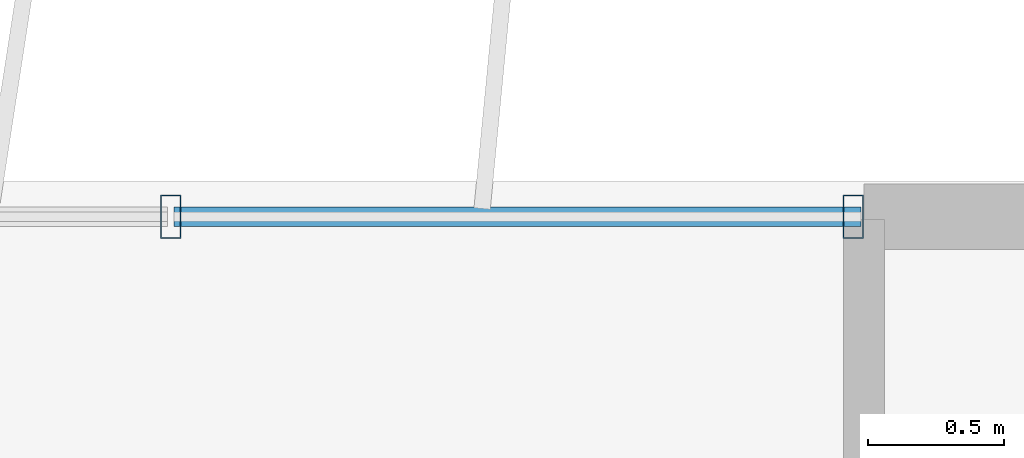
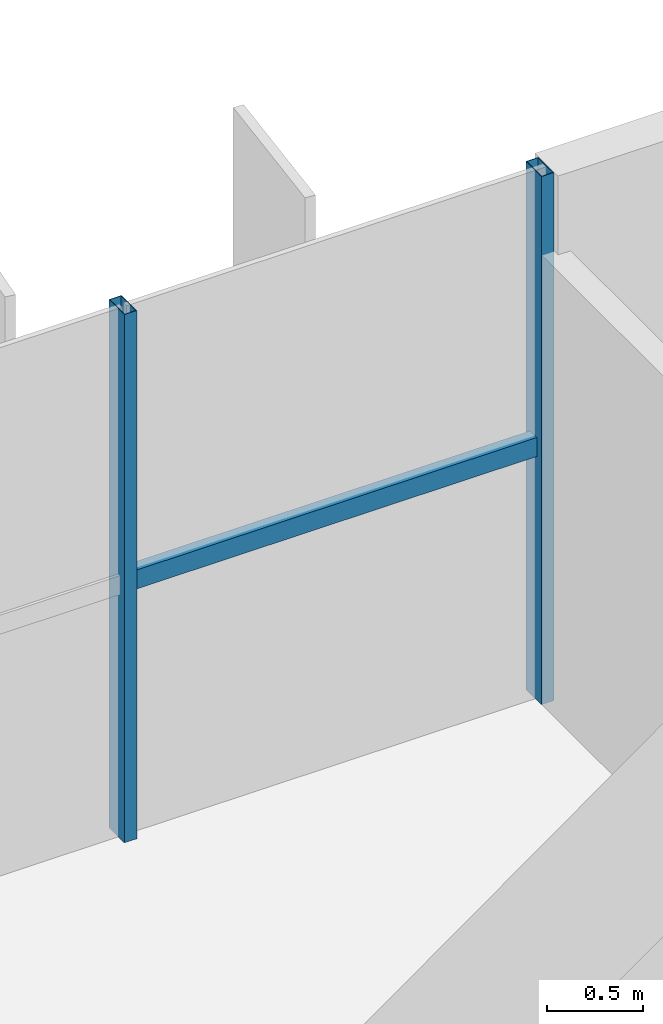
# One storey, part 15 of 24: 3 members, 1 element without a shape of its own.
"""IFC4 building model written with IfcOpenShell, lengths in metres."""

from ifc_helpers import new_model, si_unit, direction, frame, origin, origin_2d, place, context, subcontext, project, spatial, hollow_rectangle, extrude, source, transform, mapped, material, material_profile, profile_set, type_object, element, aggregate, save


model = new_model("IFC4")

# Units and contexts
model_context = context("Model", 3, precision=1e-05, world=origin(), true_north=direction((0.0, 1.0)))
body_context = subcontext(model_context, "Body", "Model", "MODEL_VIEW")
ifc_project = project(units=[si_unit("LENGTHUNIT", "METRE"), si_unit("AREAUNIT", "SQUARE_METRE"), si_unit("VOLUMEUNIT", "CUBIC_METRE"), si_unit("PLANEANGLEUNIT", "RADIAN"), si_unit("MASSUNIT", "GRAM", prefix="KILO")], contexts=[model_context])

# Site, building, storey
site_placement = place(None, origin())
site = spatial("IfcSite", under=ifc_project, at=site_placement, CompositionType="ELEMENT")
building_placement = place(site_placement, origin())
building = spatial("IfcBuilding", under=site, at=building_placement, Name="Trelvane Seafront Commons", CompositionType="ELEMENT")
storey_placement = place(building_placement, frame((0.0, 0.0, 175.300048828125)))
storey = spatial("IfcBuildingStorey", under=building, at=storey_placement, Name="L46", CompositionType="ELEMENT", Elevation=175.300048828125)

# Curtain wall, members
ifc_material = material(Name="Anodised pale-silver aluminium", Category="aluminium")
curtain_wall_type = type_object("IfcCurtainWallType", Name="ARCH-CW5-UPTOWER", PredefinedType="NOTDEFINED", material=ifc_material)
curtain_wall_placement = place(storey_placement, origin())
curtain_wall = element("IfcCurtainWall", 1, at=curtain_wall_placement, inside=storey, type_object=curtain_wall_type, Name="CW-L46-0073", PredefinedType="NOTDEFINED")
ifc_material_profile_1 = material_profile(ifc_material, hollow_rectangle(XDim=0.070068359375, YDim=0.1201171875, WallThickness=0.00390625, at=origin_2d()), Name="TRAN-70x120x4")
ifc_profile_set_1 = profile_set([ifc_material_profile_1], Name="Anodised pale-silver aluminium")
member_type_1 = type_object("IfcMemberType", Name="ARCH-CW-TRAN-120", PredefinedType="USERDEFINED", material=ifc_profile_set_1)
shared_shape_1 = source(origin(), body_context, "Body", "SweptSolid", [
    extrude(hollow_rectangle(XDim=0.070068359375, YDim=0.1201171875, WallThickness=0.00390625, at=origin_2d()), origin(), (0.0, 0.0, 1.0), 2.517333984375),
])
member_1_placement = place(storey_placement, frame((56.270751953125, 48.3701171875, 1.60791015625), z_axis=(1.0, 0.0, 0.0), x_axis=(0.0, 1.0, 0.0)))
member_1 = element("IfcMember", 2, at=member_1_placement, type_object=member_type_1, Name="CW-L46-0073-T16", ObjectType="TRANSOM", PredefinedType="USERDEFINED", context=body_context, shape_type="MappedRepresentation", body=[
    mapped(shared_shape_1, transform((0.0, 0.0, 0.0), x_axis=(1.0, 0.0, 0.0), y_axis=(0.0, 1.0, 0.0), z_axis=(0.0, 0.0, 1.0), scale=1.0)),
])
ifc_material_profile_2 = material_profile(ifc_material, hollow_rectangle(XDim=0.074951171875, YDim=0.159912109375, WallThickness=0.00390625, at=origin_2d()), Name="MULL-75x160x4")
ifc_profile_set_2 = profile_set([ifc_material_profile_2], Name="Anodised pale-silver aluminium")
member_type_2 = type_object("IfcMemberType", Name="ARCH-CW-MULL-160", PredefinedType="MULLION", material=ifc_profile_set_2)
shared_shape_2 = source(origin(), body_context, "Body", "SweptSolid", [
    extrude(hollow_rectangle(XDim=0.074951171875, YDim=0.159912109375, WallThickness=0.00390625, at=origin_2d()), origin(), (0.0, 0.0, 1.0), 3.349853515625),
])
member_2_placement = place(storey_placement, frame((56.2587890625, 48.3701171875, 0.0), z_axis=(0.0, 0.0, 1.0), x_axis=(1.0, 0.0, 0.0)))
member_2 = element("IfcMember", 3, at=member_2_placement, type_object=member_type_2, Name="CW-L46-0073-M16", PredefinedType="MULLION", context=body_context, shape_type="MappedRepresentation", body=[
    mapped(shared_shape_2, transform((0.0, 0.0, 0.0), x_axis=(1.0, 0.0, 0.0), y_axis=(0.0, 1.0, 0.0), z_axis=(0.0, 0.0, 1.0), scale=1.0)),
])
member_3_placement = place(storey_placement, frame((58.760009765625, 48.3701171875, 0.0), z_axis=(0.0, 0.0, 1.0), x_axis=(1.0, 0.0, 0.0)))
member_3 = element("IfcMember", 4, at=member_3_placement, type_object=member_type_2, Name="CW-L46-0073-M17", PredefinedType="MULLION", context=body_context, shape_type="MappedRepresentation", body=[
    mapped(shared_shape_2, transform((0.0, 0.0, 0.0), x_axis=(1.0, 0.0, 0.0), y_axis=(0.0, 1.0, 0.0), z_axis=(0.0, 0.0, 1.0), scale=1.0)),
])
aggregate(curtain_wall, [member_2, member_3, member_1])

save(model, "model.ifc")
